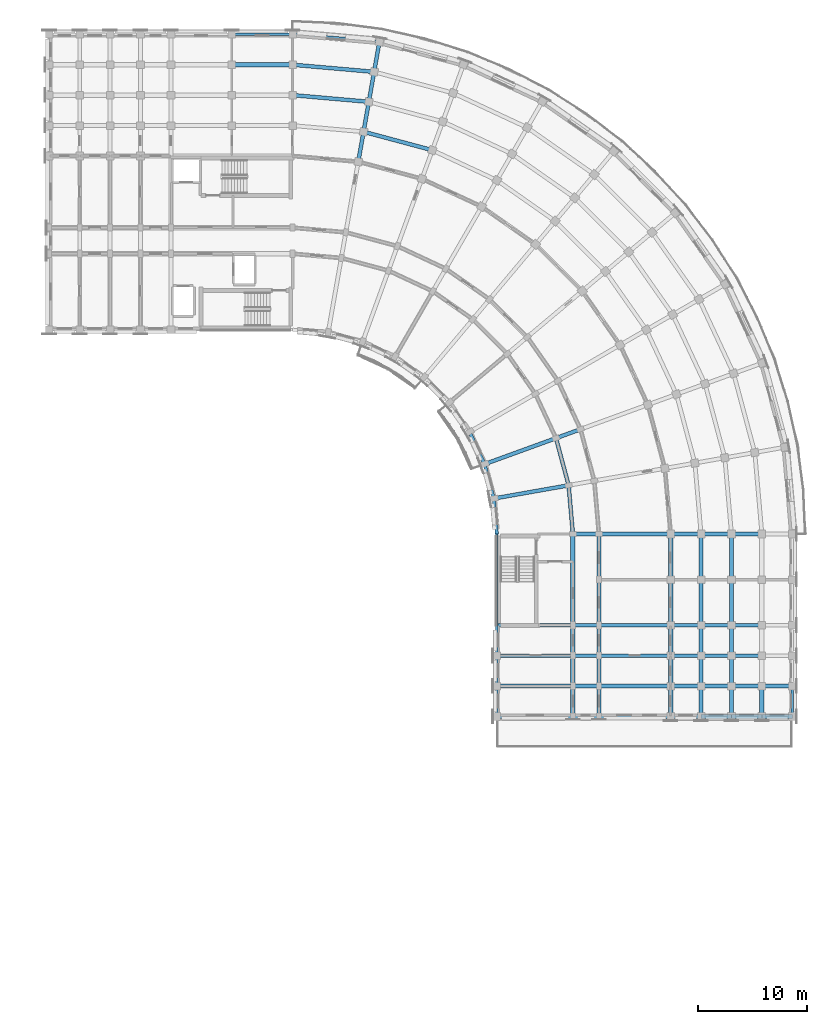
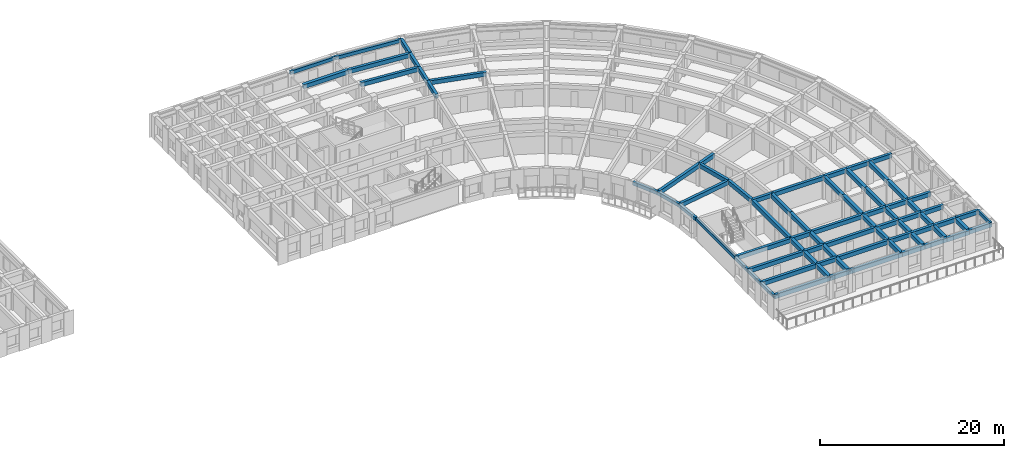
# One storey, part 11 of 54: 79 beams.
"""IFC4 building model written with IfcOpenShell, lengths in metres."""

from ifc_helpers import new_model, si_unit, direction, frame, origin, origin_2d, place, context, subcontext, project, spatial, rectangle, extrude, material, material_profile, profile_set, type_object, element, save


model = new_model("IFC4")

# Units and contexts
model_context = context("Model", 3, precision=1e-05, world=origin(), true_north=direction((0.0, 1.0)))
body_context = subcontext(model_context, "Body", "Model", "MODEL_VIEW")
ifc_project = project(units=[si_unit("LENGTHUNIT", "METRE"), si_unit("AREAUNIT", "SQUARE_METRE"), si_unit("VOLUMEUNIT", "CUBIC_METRE"), si_unit("PLANEANGLEUNIT", "RADIAN"), si_unit("MASSUNIT", "GRAM", prefix="KILO")], contexts=[model_context])

# Site, building, storey
site_placement = place(None, origin())
site = spatial("IfcSite", under=ifc_project, at=site_placement, CompositionType="ELEMENT")
building_placement = place(site_placement, origin())
building = spatial("IfcBuilding", under=site, at=building_placement, Name="Kiranvali Square Residences", CompositionType="ELEMENT")
storey_placement = place(building_placement, frame((0.0, 0.0, 27.60009765625)))
storey = spatial("IfcBuildingStorey", under=building, at=storey_placement, Name="L08", CompositionType="ELEMENT", Elevation=27.60009765625)

# Beams
ifc_material_1 = material(Name="Concrete M40 (40 MPa)", Category="concrete")
ifc_material_profile_1 = material_profile(ifc_material_1, rectangle(XDim=0.35009765625, YDim=0.550048828125, at=origin_2d()), Name="RC 350x550")
ifc_profile_set_1 = profile_set([ifc_material_profile_1], Name="Concrete M40 (40 MPa)")
beam_type_1 = type_object("IfcBeamType", Name="BM-M40-350x550", PredefinedType="BEAM", material=ifc_profile_set_1)
beam_1_placement = place(storey_placement, frame((119.800048828125, 128.199951171875, 2.65478515625), z_axis=(0.996194658198, -0.087156198737, 0.0), x_axis=(0.087156198737, 0.996194658198, 0.0)))
element("IfcBeam", 1, at=beam_1_placement, inside=storey, type_object=beam_type_1, Name="L08 beam BM-B-L08-C00-R5", PredefinedType="BEAM", context=body_context, shape_type="SweptSolid", body=[
    extrude(rectangle(XDim=0.35009765625, YDim=0.550048828125, at=origin_2d()), origin(), (0.0, 0.0, 1.0), 7.042236328125),
])
beam_2_placement = place(storey_placement, frame((119.800048828125, 131.0, 2.65478515625), z_axis=(0.996195195417, -0.087150058103, 0.0), x_axis=(0.087150058103, 0.996195195417, 0.0)))
element("IfcBeam", 2, at=beam_2_placement, inside=storey, type_object=beam_type_1, Name="L08 beam BM-B-L08-C00-R6", PredefinedType="BEAM", context=body_context, shape_type="SweptSolid", body=[
    extrude(rectangle(XDim=0.35009765625, YDim=0.550048828125, at=origin_2d()), origin(), (0.0, 0.0, 1.0), 7.530029296875),
])
beam_3_placement = place(storey_placement, frame((126.3291015625, 124.828857421875, 2.65478515625), z_axis=(0.965918287583, -0.258847178297, 0.0), x_axis=(0.258847178297, 0.965918287583, 0.0)))
element("IfcBeam", 3, at=beam_3_placement, inside=storey, type_object=beam_type_1, Name="L08 beam BM-B-L08-C01-R4", PredefinedType="BEAM", context=body_context, shape_type="SweptSolid", body=[
    extrude(rectangle(XDim=0.35009765625, YDim=0.550048828125, at=origin_2d()), origin(), (0.0, 0.0, 1.0), 6.55419921875),
])
beam_4_placement = place(storey_placement, frame((144.044189453125, 96.6240234375, 2.65478515625), z_axis=(0.258787642463, -0.965934240054, 0.0), x_axis=(0.965934240054, 0.258787642463, 0.0)))
element("IfcBeam", 4, at=beam_4_placement, inside=storey, type_object=beam_type_1, Name="L08 beam BM-B-L08-C07-R1", PredefinedType="BEAM", context=body_context, shape_type="SweptSolid", body=[
    extrude(rectangle(XDim=0.35009765625, YDim=0.550048828125, at=origin_2d()), origin(), (0.0, 0.0, 1.0), 4.497314453125),
])
beam_5_placement = place(storey_placement, frame((145.2080078125, 92.280029296875, 2.65478515625), z_axis=(0.087187153726, -0.996191949488, 0.0), x_axis=(0.996191949488, 0.087187153726, 0.0)))
element("IfcBeam", 5, at=beam_5_placement, inside=storey, type_object=beam_type_1, Name="L08 beam BM-B-L08-C08-R1", PredefinedType="BEAM", context=body_context, shape_type="SweptSolid", body=[
    extrude(rectangle(XDim=0.35009765625, YDim=0.550048828125, at=origin_2d()), origin(), (0.0, 0.0, 1.0), 4.4970703125),
])
beam_6_placement = place(storey_placement, frame((125.843017578125, 122.0712890625, 2.65478515625), z_axis=(0.173596320392, 0.984816895441, 0.0), x_axis=(-0.984816895441, 0.173596320392, 0.0)))
element("IfcBeam", 6, at=beam_6_placement, inside=storey, type_object=beam_type_1, Name="L08 beam BM-B-L08-RAD01-34", PredefinedType="BEAM", context=body_context, shape_type="SweptSolid", body=[
    extrude(rectangle(XDim=0.35009765625, YDim=0.550048828125, at=origin_2d()), origin(), (0.0, 0.0, 1.0), 2.800048828125),
])
beam_7_placement = place(storey_placement, frame((126.3291015625, 124.828857421875, 2.65478515625), z_axis=(0.173695795656, 0.984799355489, 0.0), x_axis=(-0.984799355489, 0.173695795656, 0.0)))
element("IfcBeam", 7, at=beam_7_placement, inside=storey, type_object=beam_type_1, Name="L08 beam BM-B-L08-RAD01-45", PredefinedType="BEAM", context=body_context, shape_type="SweptSolid", body=[
    extrude(rectangle(XDim=0.35009765625, YDim=0.550048828125, at=origin_2d()), origin(), (0.0, 0.0, 1.0), 2.7998046875),
])
beam_8_placement = place(storey_placement, frame((126.8154296875, 127.586181640625, 2.65478515625), z_axis=(0.173596320392, 0.984816895441, 0.0), x_axis=(-0.984816895441, 0.173596320392, 0.0)))
element("IfcBeam", 8, at=beam_8_placement, inside=storey, type_object=beam_type_1, Name="L08 beam BM-B-L08-RAD01-56", PredefinedType="BEAM", context=body_context, shape_type="SweptSolid", body=[
    extrude(rectangle(XDim=0.35009765625, YDim=0.550048828125, at=origin_2d()), origin(), (0.0, 0.0, 1.0), 2.800048828125),
])
beam_9_placement = place(storey_placement, frame((127.301513671875, 130.34375, 2.69482421875), z_axis=(0.173695795656, 0.984799355489, 0.0), x_axis=(-0.984799355489, 0.173695795656, 0.0)))
element("IfcBeam", 9, at=beam_9_placement, inside=storey, type_object=beam_type_1, Name="L08 beam BM-B-L08-RAD01-67", PredefinedType="BEAM", context=body_context, shape_type="SweptSolid", body=[
    extrude(rectangle(XDim=0.35009765625, YDim=0.550048828125, at=origin_2d()), origin(), (0.0, 0.0, 1.0), 2.7998046875),
])
beam_10_placement = place(storey_placement, frame((137.46630859375, 94.22998046875, 2.65478515625), z_axis=(0.939697665127, 0.342006283793, 0.0), x_axis=(-0.342006283793, 0.939697665127, 0.0)))
element("IfcBeam", 10, at=beam_10_placement, inside=storey, type_object=beam_type_1, Name="L08 beam BM-B-L08-RAD07-01", PredefinedType="BEAM", context=body_context, shape_type="SweptSolid", body=[
    extrude(rectangle(XDim=0.35009765625, YDim=0.550048828125, at=origin_2d()), origin(), (0.0, 0.0, 1.0), 7.0),
])
beam_11_placement = place(storey_placement, frame((144.044189453125, 96.6240234375, 2.65478515625), z_axis=(0.939659694648, 0.342110593602, 0.0), x_axis=(-0.342110593602, 0.939659694648, 0.0)))
element("IfcBeam", 11, at=beam_11_placement, inside=storey, type_object=beam_type_1, Name="L08 beam BM-B-L08-RAD07-12", PredefinedType="BEAM", context=body_context, shape_type="SweptSolid", body=[
    extrude(rectangle(XDim=0.35009765625, YDim=0.550048828125, at=origin_2d()), origin(), (0.0, 0.0, 1.0), 2.39990234375),
])
beam_12_placement = place(storey_placement, frame((138.314453125, 91.064697265625, 2.65478515625), z_axis=(0.984812337125, 0.173622177865, 0.0), x_axis=(-0.173622177865, 0.984812337125, 0.0)))
element("IfcBeam", 12, at=beam_12_placement, inside=storey, type_object=beam_type_1, Name="L08 beam BM-B-L08-RAD08-01", PredefinedType="BEAM", context=body_context, shape_type="SweptSolid", body=[
    extrude(rectangle(XDim=0.35009765625, YDim=0.550048828125, at=origin_2d()), origin(), (0.0, 0.0, 1.0), 6.999755859375),
])
beam_13_placement = place(storey_placement, frame((145.60009765625, 87.800048828125, 2.65478515625), z_axis=(1.0, 0.0, 0.0), x_axis=(0.0, 1.0, 0.0)))
element("IfcBeam", 13, at=beam_13_placement, inside=storey, type_object=beam_type_1, Name="L08 beam BM-B-L08-A2T0-12", PredefinedType="BEAM", context=body_context, shape_type="SweptSolid", body=[
    extrude(rectangle(XDim=0.35009765625, YDim=0.550048828125, at=origin_2d()), origin(), (0.0, 0.0, 1.0), 2.39990234375),
])
beam_14_placement = place(storey_placement, frame((148.0, 87.800048828125, 2.65478515625), z_axis=(1.0, 0.0, 0.0), x_axis=(0.0, 1.0, 0.0)))
element("IfcBeam", 14, at=beam_14_placement, inside=storey, type_object=beam_type_1, Name="L08 beam BM-B-L08-A2T0-23", PredefinedType="BEAM", context=body_context, shape_type="SweptSolid", body=[
    extrude(rectangle(XDim=0.35009765625, YDim=0.550048828125, at=origin_2d()), origin(), (0.0, 0.0, 1.0), 6.60009765625),
])
beam_15_placement = place(storey_placement, frame((154.60009765625, 87.800048828125, 2.65478515625), z_axis=(1.0, 0.0, 0.0), x_axis=(0.0, 1.0, 0.0)))
element("IfcBeam", 15, at=beam_15_placement, inside=storey, type_object=beam_type_1, Name="L08 beam BM-B-L08-A2T0-34", PredefinedType="BEAM", context=body_context, shape_type="SweptSolid", body=[
    extrude(rectangle(XDim=0.35009765625, YDim=0.550048828125, at=origin_2d()), origin(), (0.0, 0.0, 1.0), 2.7998046875),
])
for number, where, z_axis, x_axis, name in (
    (16, (157.39990234375, 87.800048828125, 2.65478515625), (1.0, 0.0, 0.0), (0.0, 1.0, 0.0), "L08 beam BM-B-L08-A2T0-45"),
    (17, (160.199951171875, 87.800048828125, 2.65478515625), (1.0, 0.0, 0.0), (0.0, 1.0, 0.0), "L08 beam BM-B-L08-A2T0-56"),
):
    element("IfcBeam", number, at=place(storey_placement, frame(where, z_axis=z_axis, x_axis=x_axis)), inside=storey, type_object=beam_type_1, Name=name, PredefinedType="BEAM", context=body_context, shape_type="SweptSolid", body=[
        extrude(rectangle(XDim=0.35009765625, YDim=0.550048828125, at=origin_2d()), origin(), (0.0, 0.0, 1.0), 2.800048828125),
    ])
beam_16_placement = place(storey_placement, frame((138.60009765625, 79.39990234375, 2.65478515625), z_axis=(1.0, 0.0, 0.0), x_axis=(0.0, 1.0, 0.0)))
element("IfcBeam", 18, at=beam_16_placement, inside=storey, type_object=beam_type_1, Name="L08 beam BM-B-L08-A2T1-01", PredefinedType="BEAM", context=body_context, shape_type="SweptSolid", body=[
    extrude(rectangle(XDim=0.35009765625, YDim=0.550048828125, at=origin_2d()), origin(), (0.0, 0.0, 1.0), 7.0),
])
beam_17_placement = place(storey_placement, frame((145.60009765625, 79.39990234375, 2.65478515625), z_axis=(1.0, 0.0, 0.0), x_axis=(0.0, 1.0, 0.0)))
element("IfcBeam", 19, at=beam_17_placement, inside=storey, type_object=beam_type_1, Name="L08 beam BM-B-L08-A2T1-12", PredefinedType="BEAM", context=body_context, shape_type="SweptSolid", body=[
    extrude(rectangle(XDim=0.35009765625, YDim=0.550048828125, at=origin_2d()), origin(), (0.0, 0.0, 1.0), 2.39990234375),
])
beam_18_placement = place(storey_placement, frame((148.0, 79.39990234375, 2.65478515625), z_axis=(1.0, 0.0, 0.0), x_axis=(0.0, 1.0, 0.0)))
element("IfcBeam", 20, at=beam_18_placement, inside=storey, type_object=beam_type_1, Name="L08 beam BM-B-L08-A2T1-23", PredefinedType="BEAM", context=body_context, shape_type="SweptSolid", body=[
    extrude(rectangle(XDim=0.35009765625, YDim=0.550048828125, at=origin_2d()), origin(), (0.0, 0.0, 1.0), 6.60009765625),
])
beam_19_placement = place(storey_placement, frame((154.60009765625, 79.39990234375, 2.65478515625), z_axis=(1.0, 0.0, 0.0), x_axis=(0.0, 1.0, 0.0)))
element("IfcBeam", 21, at=beam_19_placement, inside=storey, type_object=beam_type_1, Name="L08 beam BM-B-L08-A2T1-34", PredefinedType="BEAM", context=body_context, shape_type="SweptSolid", body=[
    extrude(rectangle(XDim=0.35009765625, YDim=0.550048828125, at=origin_2d()), origin(), (0.0, 0.0, 1.0), 2.7998046875),
])
for number, where, z_axis, x_axis, name in (
    (22, (157.39990234375, 79.39990234375, 2.65478515625), (1.0, 0.0, 0.0), (0.0, 1.0, 0.0), "L08 beam BM-B-L08-A2T1-45"),
    (23, (160.199951171875, 79.39990234375, 2.65478515625), (1.0, 0.0, 0.0), (0.0, 1.0, 0.0), "L08 beam BM-B-L08-A2T1-56"),
):
    element("IfcBeam", number, at=place(storey_placement, frame(where, z_axis=z_axis, x_axis=x_axis)), inside=storey, type_object=beam_type_1, Name=name, PredefinedType="BEAM", context=body_context, shape_type="SweptSolid", body=[
        extrude(rectangle(XDim=0.35009765625, YDim=0.550048828125, at=origin_2d()), origin(), (0.0, 0.0, 1.0), 2.800048828125),
    ])
beam_20_placement = place(storey_placement, frame((138.60009765625, 76.60009765625, 2.65478515625), z_axis=(1.0, 0.0, 0.0), x_axis=(0.0, 1.0, 0.0)))
element("IfcBeam", 24, at=beam_20_placement, inside=storey, type_object=beam_type_1, Name="L08 beam BM-B-L08-A2T2-01", PredefinedType="BEAM", context=body_context, shape_type="SweptSolid", body=[
    extrude(rectangle(XDim=0.35009765625, YDim=0.550048828125, at=origin_2d()), origin(), (0.0, 0.0, 1.0), 7.0),
])
beam_21_placement = place(storey_placement, frame((145.60009765625, 76.60009765625, 2.65478515625), z_axis=(1.0, 0.0, 0.0), x_axis=(0.0, 1.0, 0.0)))
element("IfcBeam", 25, at=beam_21_placement, inside=storey, type_object=beam_type_1, Name="L08 beam BM-B-L08-A2T2-12", PredefinedType="BEAM", context=body_context, shape_type="SweptSolid", body=[
    extrude(rectangle(XDim=0.35009765625, YDim=0.550048828125, at=origin_2d()), origin(), (0.0, 0.0, 1.0), 2.39990234375),
])
beam_22_placement = place(storey_placement, frame((148.0, 76.60009765625, 2.65478515625), z_axis=(1.0, 0.0, 0.0), x_axis=(0.0, 1.0, 0.0)))
element("IfcBeam", 26, at=beam_22_placement, inside=storey, type_object=beam_type_1, Name="L08 beam BM-B-L08-A2T2-23", PredefinedType="BEAM", context=body_context, shape_type="SweptSolid", body=[
    extrude(rectangle(XDim=0.35009765625, YDim=0.550048828125, at=origin_2d()), origin(), (0.0, 0.0, 1.0), 6.60009765625),
])
beam_23_placement = place(storey_placement, frame((154.60009765625, 76.60009765625, 2.65478515625), z_axis=(1.0, 0.0, 0.0), x_axis=(0.0, 1.0, 0.0)))
element("IfcBeam", 27, at=beam_23_placement, inside=storey, type_object=beam_type_1, Name="L08 beam BM-B-L08-A2T2-34", PredefinedType="BEAM", context=body_context, shape_type="SweptSolid", body=[
    extrude(rectangle(XDim=0.35009765625, YDim=0.550048828125, at=origin_2d()), origin(), (0.0, 0.0, 1.0), 2.7998046875),
])
for number, where, z_axis, x_axis, name in (
    (28, (157.39990234375, 76.60009765625, 2.65478515625), (1.0, 0.0, 0.0), (0.0, 1.0, 0.0), "L08 beam BM-B-L08-A2T2-45"),
    (29, (160.199951171875, 76.60009765625, 2.65478515625), (1.0, 0.0, 0.0), (0.0, 1.0, 0.0), "L08 beam BM-B-L08-A2T2-56"),
):
    element("IfcBeam", number, at=place(storey_placement, frame(where, z_axis=z_axis, x_axis=x_axis)), inside=storey, type_object=beam_type_1, Name=name, PredefinedType="BEAM", context=body_context, shape_type="SweptSolid", body=[
        extrude(rectangle(XDim=0.35009765625, YDim=0.550048828125, at=origin_2d()), origin(), (0.0, 0.0, 1.0), 2.800048828125),
    ])
beam_24_placement = place(storey_placement, frame((138.60009765625, 73.800048828125, 2.65478515625), z_axis=(1.0, 0.0, 0.0), x_axis=(0.0, 1.0, 0.0)))
element("IfcBeam", 30, at=beam_24_placement, inside=storey, type_object=beam_type_1, Name="L08 beam BM-B-L08-A2T3-01", PredefinedType="BEAM", context=body_context, shape_type="SweptSolid", body=[
    extrude(rectangle(XDim=0.35009765625, YDim=0.550048828125, at=origin_2d()), origin(), (0.0, 0.0, 1.0), 7.0),
])
beam_25_placement = place(storey_placement, frame((145.60009765625, 73.800048828125, 2.65478515625), z_axis=(1.0, 0.0, 0.0), x_axis=(0.0, 1.0, 0.0)))
element("IfcBeam", 31, at=beam_25_placement, inside=storey, type_object=beam_type_1, Name="L08 beam BM-B-L08-A2T3-12", PredefinedType="BEAM", context=body_context, shape_type="SweptSolid", body=[
    extrude(rectangle(XDim=0.35009765625, YDim=0.550048828125, at=origin_2d()), origin(), (0.0, 0.0, 1.0), 2.39990234375),
])
beam_26_placement = place(storey_placement, frame((148.0, 73.800048828125, 2.65478515625), z_axis=(1.0, 0.0, 0.0), x_axis=(0.0, 1.0, 0.0)))
element("IfcBeam", 32, at=beam_26_placement, inside=storey, type_object=beam_type_1, Name="L08 beam BM-B-L08-A2T3-23", PredefinedType="BEAM", context=body_context, shape_type="SweptSolid", body=[
    extrude(rectangle(XDim=0.35009765625, YDim=0.550048828125, at=origin_2d()), origin(), (0.0, 0.0, 1.0), 6.60009765625),
])
beam_27_placement = place(storey_placement, frame((154.60009765625, 73.800048828125, 2.65478515625), z_axis=(1.0, 0.0, 0.0), x_axis=(0.0, 1.0, 0.0)))
element("IfcBeam", 33, at=beam_27_placement, inside=storey, type_object=beam_type_1, Name="L08 beam BM-B-L08-A2T3-34", PredefinedType="BEAM", context=body_context, shape_type="SweptSolid", body=[
    extrude(rectangle(XDim=0.35009765625, YDim=0.550048828125, at=origin_2d()), origin(), (0.0, 0.0, 1.0), 2.7998046875),
])
for number, where, z_axis, x_axis, name in (
    (34, (157.39990234375, 73.800048828125, 2.65478515625), (1.0, 0.0, 0.0), (0.0, 1.0, 0.0), "L08 beam BM-B-L08-A2T3-45"),
    (35, (160.199951171875, 73.800048828125, 2.65478515625), (1.0, 0.0, 0.0), (0.0, 1.0, 0.0), "L08 beam BM-B-L08-A2T3-56"),
    (36, (163.0, 73.800048828125, 2.69482421875), (1.0, 0.0, 0.0), (0.0, 1.0, 0.0), "L08 beam BM-B-L08-A2T3-67"),
):
    element("IfcBeam", number, at=place(storey_placement, frame(where, z_axis=z_axis, x_axis=x_axis)), inside=storey, type_object=beam_type_1, Name=name, PredefinedType="BEAM", context=body_context, shape_type="SweptSolid", body=[
        extrude(rectangle(XDim=0.35009765625, YDim=0.550048828125, at=origin_2d()), origin(), (0.0, 0.0, 1.0), 2.800048828125),
    ])
beam_28_placement = place(storey_placement, frame((138.60009765625, 71.0, 2.65478515625), z_axis=(1.0, 0.0, 0.0), x_axis=(0.0, 1.0, 0.0)))
element("IfcBeam", 37, at=beam_28_placement, inside=storey, type_object=beam_type_1, Name="L08 beam BM-B-L08-A2T4-01", PredefinedType="BEAM", context=body_context, shape_type="SweptSolid", body=[
    extrude(rectangle(XDim=0.35009765625, YDim=0.550048828125, at=origin_2d()), origin(), (0.0, 0.0, 1.0), 7.0),
])
beam_29_placement = place(storey_placement, frame((145.60009765625, 71.0, 2.65478515625), z_axis=(1.0, 0.0, 0.0), x_axis=(0.0, 1.0, 0.0)))
element("IfcBeam", 38, at=beam_29_placement, inside=storey, type_object=beam_type_1, Name="L08 beam BM-B-L08-A2T4-12", PredefinedType="BEAM", context=body_context, shape_type="SweptSolid", body=[
    extrude(rectangle(XDim=0.35009765625, YDim=0.550048828125, at=origin_2d()), origin(), (0.0, 0.0, 1.0), 2.39990234375),
])
beam_30_placement = place(storey_placement, frame((148.0, 71.0, 2.65478515625), z_axis=(1.0, 0.0, 0.0), x_axis=(0.0, 1.0, 0.0)))
element("IfcBeam", 39, at=beam_30_placement, inside=storey, type_object=beam_type_1, Name="L08 beam BM-B-L08-A2T4-23", PredefinedType="BEAM", context=body_context, shape_type="SweptSolid", body=[
    extrude(rectangle(XDim=0.35009765625, YDim=0.550048828125, at=origin_2d()), origin(), (0.0, 0.0, 1.0), 6.60009765625),
])
beam_31_placement = place(storey_placement, frame((154.60009765625, 71.0, 2.65478515625), z_axis=(1.0, 0.0, 0.0), x_axis=(0.0, 1.0, 0.0)))
element("IfcBeam", 40, at=beam_31_placement, inside=storey, type_object=beam_type_1, Name="L08 beam BM-B-L08-A2T4-34", PredefinedType="BEAM", context=body_context, shape_type="SweptSolid", body=[
    extrude(rectangle(XDim=0.35009765625, YDim=0.550048828125, at=origin_2d()), origin(), (0.0, 0.0, 1.0), 2.7998046875),
])
for number, where, z_axis, x_axis, name in (
    (41, (157.39990234375, 71.0, 2.65478515625), (1.0, 0.0, 0.0), (0.0, 1.0, 0.0), "L08 beam BM-B-L08-A2T4-45"),
    (42, (160.199951171875, 71.0, 2.65478515625), (1.0, 0.0, 0.0), (0.0, 1.0, 0.0), "L08 beam BM-B-L08-A2T4-56"),
    (43, (163.0, 71.0, 2.69482421875), (1.0, 0.0, 0.0), (0.0, 1.0, 0.0), "L08 beam BM-B-L08-A2T4-67"),
):
    element("IfcBeam", number, at=place(storey_placement, frame(where, z_axis=z_axis, x_axis=x_axis)), inside=storey, type_object=beam_type_1, Name=name, PredefinedType="BEAM", context=body_context, shape_type="SweptSolid", body=[
        extrude(rectangle(XDim=0.35009765625, YDim=0.550048828125, at=origin_2d()), origin(), (0.0, 0.0, 1.0), 2.800048828125),
    ])
ifc_material_2 = material(Name="Concrete M45 (45 MPa)", Category="concrete")
ifc_material_profile_2 = material_profile(ifc_material_2, rectangle(XDim=0.39990234375, YDim=0.550048828125, at=origin_2d()), Name="RC 400x550")
ifc_profile_set_2 = profile_set([ifc_material_profile_2], Name="Concrete M45 (45 MPa)")
beam_type_2 = type_object("IfcBeamType", Name="BM-M45-400x550", PredefinedType="BEAM", material=ifc_profile_set_2)
beam_32_placement = place(storey_placement, frame((119.800048828125, 131.0, 2.65478515625), z_axis=(-1.0, 0.0, 0.0), x_axis=(0.0, -1.0, 0.0)))
element("IfcBeam", 44, at=beam_32_placement, inside=storey, type_object=beam_type_2, Name="L08 beam BM-B-L08-A1U0-R6", PredefinedType="BEAM", context=body_context, shape_type="SweptSolid", body=[
    extrude(rectangle(XDim=0.39990234375, YDim=0.550048828125, at=origin_2d()), origin(), (0.0, 0.0, 1.0), 5.60009765625),
])
beam_33_placement = place(storey_placement, frame((145.60009765625, 87.800048828125, 2.65478515625), z_axis=(0.0, -1.0, 0.0), x_axis=(1.0, 0.0, 0.0)))
element("IfcBeam", 45, at=beam_33_placement, inside=storey, type_object=beam_type_2, Name="L08 beam BM-B-L08-A2V0-R1", PredefinedType="BEAM", context=body_context, shape_type="SweptSolid", body=[
    extrude(rectangle(XDim=0.39990234375, YDim=0.550048828125, at=origin_2d()), origin(), (0.0, 0.0, 1.0), 8.400146484375),
])
beam_34_placement = place(storey_placement, frame((145.60009765625, 79.39990234375, 2.65478515625), z_axis=(0.0, -1.0, 0.0), x_axis=(1.0, 0.0, 0.0)))
element("IfcBeam", 46, at=beam_34_placement, inside=storey, type_object=beam_type_2, Name="L08 beam BM-B-L08-A2V1-R1", PredefinedType="BEAM", context=body_context, shape_type="SweptSolid", body=[
    extrude(rectangle(XDim=0.39990234375, YDim=0.550048828125, at=origin_2d()), origin(), (0.0, 0.0, 1.0), 2.7998046875),
])
for number, where, z_axis, x_axis, name in (
    (47, (145.60009765625, 76.60009765625, 2.65478515625), (0.0, -1.0, 0.0), (1.0, 0.0, 0.0), "L08 beam BM-B-L08-A2V2-R1"),
    (48, (145.60009765625, 73.800048828125, 2.65478515625), (0.0, -1.0, 0.0), (1.0, 0.0, 0.0), "L08 beam BM-B-L08-A2V3-R1"),
):
    element("IfcBeam", number, at=place(storey_placement, frame(where, z_axis=z_axis, x_axis=x_axis)), inside=storey, type_object=beam_type_2, Name=name, PredefinedType="BEAM", context=body_context, shape_type="SweptSolid", body=[
        extrude(rectangle(XDim=0.39990234375, YDim=0.550048828125, at=origin_2d()), origin(), (0.0, 0.0, 1.0), 2.800048828125),
    ])
beam_35_placement = place(storey_placement, frame((148.0, 87.800048828125, 2.65478515625), z_axis=(0.0, -1.0, 0.0), x_axis=(1.0, 0.0, 0.0)))
element("IfcBeam", 49, at=beam_35_placement, inside=storey, type_object=beam_type_2, Name="L08 beam BM-B-L08-A2V0-R2", PredefinedType="BEAM", context=body_context, shape_type="SweptSolid", body=[
    extrude(rectangle(XDim=0.39990234375, YDim=0.550048828125, at=origin_2d()), origin(), (0.0, 0.0, 1.0), 4.199951171875),
])
beam_36_placement = place(storey_placement, frame((148.0, 83.60009765625, 2.65478515625), z_axis=(0.0, -1.0, 0.0), x_axis=(1.0, 0.0, 0.0)))
element("IfcBeam", 50, at=beam_36_placement, inside=storey, type_object=beam_type_2, Name="L08 beam BM-B-L08-A2V1-R2", PredefinedType="BEAM", context=body_context, shape_type="SweptSolid", body=[
    extrude(rectangle(XDim=0.39990234375, YDim=0.550048828125, at=origin_2d()), origin(), (0.0, 0.0, 1.0), 4.2001953125),
])
beam_37_placement = place(storey_placement, frame((148.0, 79.39990234375, 2.65478515625), z_axis=(0.0, -1.0, 0.0), x_axis=(1.0, 0.0, 0.0)))
element("IfcBeam", 51, at=beam_37_placement, inside=storey, type_object=beam_type_2, Name="L08 beam BM-B-L08-A2V2-R2", PredefinedType="BEAM", context=body_context, shape_type="SweptSolid", body=[
    extrude(rectangle(XDim=0.39990234375, YDim=0.550048828125, at=origin_2d()), origin(), (0.0, 0.0, 1.0), 2.7998046875),
])
for number, where, z_axis, x_axis, name in (
    (52, (148.0, 76.60009765625, 2.65478515625), (0.0, -1.0, 0.0), (1.0, 0.0, 0.0), "L08 beam BM-B-L08-A2V3-R2"),
    (53, (148.0, 73.800048828125, 2.65478515625), (0.0, -1.0, 0.0), (1.0, 0.0, 0.0), "L08 beam BM-B-L08-A2V4-R2"),
):
    element("IfcBeam", number, at=place(storey_placement, frame(where, z_axis=z_axis, x_axis=x_axis)), inside=storey, type_object=beam_type_2, Name=name, PredefinedType="BEAM", context=body_context, shape_type="SweptSolid", body=[
        extrude(rectangle(XDim=0.39990234375, YDim=0.550048828125, at=origin_2d()), origin(), (0.0, 0.0, 1.0), 2.800048828125),
    ])
beam_38_placement = place(storey_placement, frame((154.60009765625, 87.800048828125, 2.65478515625), z_axis=(0.0, -1.0, 0.0), x_axis=(1.0, 0.0, 0.0)))
element("IfcBeam", 54, at=beam_38_placement, inside=storey, type_object=beam_type_2, Name="L08 beam BM-B-L08-A2V0-R3", PredefinedType="BEAM", context=body_context, shape_type="SweptSolid", body=[
    extrude(rectangle(XDim=0.39990234375, YDim=0.550048828125, at=origin_2d()), origin(), (0.0, 0.0, 1.0), 4.199951171875),
])
beam_39_placement = place(storey_placement, frame((154.60009765625, 83.60009765625, 2.65478515625), z_axis=(0.0, -1.0, 0.0), x_axis=(1.0, 0.0, 0.0)))
element("IfcBeam", 55, at=beam_39_placement, inside=storey, type_object=beam_type_2, Name="L08 beam BM-B-L08-A2V1-R3", PredefinedType="BEAM", context=body_context, shape_type="SweptSolid", body=[
    extrude(rectangle(XDim=0.39990234375, YDim=0.550048828125, at=origin_2d()), origin(), (0.0, 0.0, 1.0), 4.2001953125),
])
beam_40_placement = place(storey_placement, frame((154.60009765625, 79.39990234375, 2.65478515625), z_axis=(0.0, -1.0, 0.0), x_axis=(1.0, 0.0, 0.0)))
element("IfcBeam", 56, at=beam_40_placement, inside=storey, type_object=beam_type_2, Name="L08 beam BM-B-L08-A2V2-R3", PredefinedType="BEAM", context=body_context, shape_type="SweptSolid", body=[
    extrude(rectangle(XDim=0.39990234375, YDim=0.550048828125, at=origin_2d()), origin(), (0.0, 0.0, 1.0), 2.7998046875),
])
for number, where, z_axis, x_axis, name in (
    (57, (154.60009765625, 76.60009765625, 2.65478515625), (0.0, -1.0, 0.0), (1.0, 0.0, 0.0), "L08 beam BM-B-L08-A2V3-R3"),
    (58, (154.60009765625, 73.800048828125, 2.65478515625), (0.0, -1.0, 0.0), (1.0, 0.0, 0.0), "L08 beam BM-B-L08-A2V4-R3"),
):
    element("IfcBeam", number, at=place(storey_placement, frame(where, z_axis=z_axis, x_axis=x_axis)), inside=storey, type_object=beam_type_2, Name=name, PredefinedType="BEAM", context=body_context, shape_type="SweptSolid", body=[
        extrude(rectangle(XDim=0.39990234375, YDim=0.550048828125, at=origin_2d()), origin(), (0.0, 0.0, 1.0), 2.800048828125),
    ])
beam_41_placement = place(storey_placement, frame((157.39990234375, 87.800048828125, 2.65478515625), z_axis=(0.0, -1.0, 0.0), x_axis=(1.0, 0.0, 0.0)))
element("IfcBeam", 59, at=beam_41_placement, inside=storey, type_object=beam_type_2, Name="L08 beam BM-B-L08-A2V0-R4", PredefinedType="BEAM", context=body_context, shape_type="SweptSolid", body=[
    extrude(rectangle(XDim=0.39990234375, YDim=0.550048828125, at=origin_2d()), origin(), (0.0, 0.0, 1.0), 4.199951171875),
])
beam_42_placement = place(storey_placement, frame((157.39990234375, 83.60009765625, 2.65478515625), z_axis=(0.0, -1.0, 0.0), x_axis=(1.0, 0.0, 0.0)))
element("IfcBeam", 60, at=beam_42_placement, inside=storey, type_object=beam_type_2, Name="L08 beam BM-B-L08-A2V1-R4", PredefinedType="BEAM", context=body_context, shape_type="SweptSolid", body=[
    extrude(rectangle(XDim=0.39990234375, YDim=0.550048828125, at=origin_2d()), origin(), (0.0, 0.0, 1.0), 4.2001953125),
])
beam_43_placement = place(storey_placement, frame((157.39990234375, 79.39990234375, 2.65478515625), z_axis=(0.0, -1.0, 0.0), x_axis=(1.0, 0.0, 0.0)))
element("IfcBeam", 61, at=beam_43_placement, inside=storey, type_object=beam_type_2, Name="L08 beam BM-B-L08-A2V2-R4", PredefinedType="BEAM", context=body_context, shape_type="SweptSolid", body=[
    extrude(rectangle(XDim=0.39990234375, YDim=0.550048828125, at=origin_2d()), origin(), (0.0, 0.0, 1.0), 2.7998046875),
])
for number, where, z_axis, x_axis, name in (
    (62, (157.39990234375, 76.60009765625, 2.65478515625), (0.0, -1.0, 0.0), (1.0, 0.0, 0.0), "L08 beam BM-B-L08-A2V3-R4"),
    (63, (157.39990234375, 73.800048828125, 2.65478515625), (0.0, -1.0, 0.0), (1.0, 0.0, 0.0), "L08 beam BM-B-L08-A2V4-R4"),
):
    element("IfcBeam", number, at=place(storey_placement, frame(where, z_axis=z_axis, x_axis=x_axis)), inside=storey, type_object=beam_type_2, Name=name, PredefinedType="BEAM", context=body_context, shape_type="SweptSolid", body=[
        extrude(rectangle(XDim=0.39990234375, YDim=0.550048828125, at=origin_2d()), origin(), (0.0, 0.0, 1.0), 2.800048828125),
    ])
beam_44_placement = place(storey_placement, frame((160.199951171875, 87.800048828125, 2.65478515625), z_axis=(0.0, -1.0, 0.0), x_axis=(1.0, 0.0, 0.0)))
element("IfcBeam", 64, at=beam_44_placement, inside=storey, type_object=beam_type_2, Name="L08 beam BM-B-L08-A2V0-R5", PredefinedType="BEAM", context=body_context, shape_type="SweptSolid", body=[
    extrude(rectangle(XDim=0.39990234375, YDim=0.550048828125, at=origin_2d()), origin(), (0.0, 0.0, 1.0), 4.199951171875),
])
beam_45_placement = place(storey_placement, frame((160.199951171875, 83.60009765625, 2.65478515625), z_axis=(0.0, -1.0, 0.0), x_axis=(1.0, 0.0, 0.0)))
element("IfcBeam", 65, at=beam_45_placement, inside=storey, type_object=beam_type_2, Name="L08 beam BM-B-L08-A2V1-R5", PredefinedType="BEAM", context=body_context, shape_type="SweptSolid", body=[
    extrude(rectangle(XDim=0.39990234375, YDim=0.550048828125, at=origin_2d()), origin(), (0.0, 0.0, 1.0), 4.2001953125),
])
beam_46_placement = place(storey_placement, frame((160.199951171875, 79.39990234375, 2.65478515625), z_axis=(0.0, -1.0, 0.0), x_axis=(1.0, 0.0, 0.0)))
element("IfcBeam", 66, at=beam_46_placement, inside=storey, type_object=beam_type_2, Name="L08 beam BM-B-L08-A2V2-R5", PredefinedType="BEAM", context=body_context, shape_type="SweptSolid", body=[
    extrude(rectangle(XDim=0.39990234375, YDim=0.550048828125, at=origin_2d()), origin(), (0.0, 0.0, 1.0), 2.7998046875),
])
for number, where, z_axis, x_axis, name in (
    (67, (160.199951171875, 76.60009765625, 2.65478515625), (0.0, -1.0, 0.0), (1.0, 0.0, 0.0), "L08 beam BM-B-L08-A2V3-R5"),
    (68, (160.199951171875, 73.800048828125, 2.65478515625), (0.0, -1.0, 0.0), (1.0, 0.0, 0.0), "L08 beam BM-B-L08-A2V4-R5"),
    (69, (163.0, 73.800048828125, 2.65478515625), (0.0, -1.0, 0.0), (1.0, 0.0, 0.0), "L08 beam BM-B-L08-A2V4-R6"),
):
    element("IfcBeam", number, at=place(storey_placement, frame(where, z_axis=z_axis, x_axis=x_axis)), inside=storey, type_object=beam_type_2, Name=name, PredefinedType="BEAM", context=body_context, shape_type="SweptSolid", body=[
        extrude(rectangle(XDim=0.39990234375, YDim=0.550048828125, at=origin_2d()), origin(), (0.0, 0.0, 1.0), 2.800048828125),
    ])
ifc_material_profile_3 = material_profile(ifc_material_1, rectangle(XDim=0.25, YDim=0.449951171875, at=origin_2d()), Name="RC 250x450")
ifc_profile_set_3 = profile_set([ifc_material_profile_3], Name="Concrete M40 (40 MPa)")
beam_type_3 = type_object("IfcBeamType", Name="SPN-M40-250x450", PredefinedType="SPANDREL", material=ifc_profile_set_3)
beam_47_placement = place(storey_placement, frame((119.800048828125, 133.800048828125, 2.744873046875), z_axis=(-1.0, 0.0, 0.0), x_axis=(0.0, -1.0, 0.0)))
element("IfcBeam", 70, at=beam_47_placement, inside=storey, type_object=beam_type_3, Name="L08 beam BM-B-L08-A1U0-R7", PredefinedType="SPANDREL", context=body_context, shape_type="SweptSolid", body=[
    extrude(rectangle(XDim=0.25, YDim=0.449951171875, at=origin_2d()), origin(), (0.0, 0.0, 1.0), 5.60009765625),
])
beam_48_placement = place(storey_placement, frame((138.60009765625, 87.800048828125, 2.704833984375), z_axis=(0.0, -1.0, 0.0), x_axis=(1.0, 0.0, 0.0)))
element("IfcBeam", 71, at=beam_48_placement, inside=storey, type_object=beam_type_3, Name="L08 beam BM-B-L08-A2V0-R0", PredefinedType="SPANDREL", context=body_context, shape_type="SweptSolid", body=[
    extrude(rectangle(XDim=0.25, YDim=0.449951171875, at=origin_2d()), origin(), (0.0, 0.0, 1.0), 8.400146484375),
])
beam_49_placement = place(storey_placement, frame((138.60009765625, 79.39990234375, 2.704833984375), z_axis=(0.0, -1.0, 0.0), x_axis=(1.0, 0.0, 0.0)))
element("IfcBeam", 72, at=beam_49_placement, inside=storey, type_object=beam_type_3, Name="L08 beam BM-B-L08-A2V1-R0", PredefinedType="SPANDREL", context=body_context, shape_type="SweptSolid", body=[
    extrude(rectangle(XDim=0.25, YDim=0.449951171875, at=origin_2d()), origin(), (0.0, 0.0, 1.0), 2.7998046875),
])
for number, where, z_axis, x_axis, name in (
    (73, (138.60009765625, 76.60009765625, 2.704833984375), (0.0, -1.0, 0.0), (1.0, 0.0, 0.0), "L08 beam BM-B-L08-A2V2-R0"),
    (74, (138.60009765625, 73.800048828125, 2.704833984375), (0.0, -1.0, 0.0), (1.0, 0.0, 0.0), "L08 beam BM-B-L08-A2V3-R0"),
    (75, (165.800048828125, 73.800048828125, 2.744873046875), (0.0, -1.0, 0.0), (1.0, 0.0, 0.0), "L08 beam BM-B-L08-A2V4-R7"),
):
    element("IfcBeam", number, at=place(storey_placement, frame(where, z_axis=z_axis, x_axis=x_axis)), inside=storey, type_object=beam_type_3, Name=name, PredefinedType="SPANDREL", context=body_context, shape_type="SweptSolid", body=[
        extrude(rectangle(XDim=0.25, YDim=0.449951171875, at=origin_2d()), origin(), (0.0, 0.0, 1.0), 2.800048828125),
    ])
ifc_material_profile_4 = material_profile(ifc_material_1, rectangle(XDim=0.300048828125, YDim=0.449951171875, at=origin_2d()), Name="RC 300x450")
ifc_profile_set_4 = profile_set([ifc_material_profile_4], Name="Concrete M40 (40 MPa)")
beam_type_4 = type_object("IfcBeamType", Name="SPN-M40-300x450", PredefinedType="SPANDREL", material=ifc_profile_set_4)
beam_50_placement = place(storey_placement, frame((119.800048828125, 133.800048828125, 2.744873046875), z_axis=(0.996193254792, -0.087172238171, 0.0), x_axis=(0.087172238171, 0.996193254792, 0.0)))
element("IfcBeam", 76, at=beam_50_placement, inside=storey, type_object=beam_type_4, Name="L08 beam BM-B-L08-C00-R7", PredefinedType="SPANDREL", context=body_context, shape_type="SweptSolid", body=[
    extrude(rectangle(XDim=0.300048828125, YDim=0.449951171875, at=origin_2d()), origin(), (0.0, 0.0, 1.0), 8.018310546875),
])
beam_51_placement = place(storey_placement, frame((136.081298828125, 97.199951171875, 2.704833984375), z_axis=(0.422640740585, -0.90629730464, 0.0), x_axis=(0.90629730464, 0.422640740585, 0.0)))
element("IfcBeam", 77, at=beam_51_placement, inside=storey, type_object=beam_type_4, Name="L08 beam BM-B-L08-C06-R0", PredefinedType="SPANDREL", context=body_context, shape_type="SweptSolid", body=[
    extrude(rectangle(XDim=0.300048828125, YDim=0.449951171875, at=origin_2d()), origin(), (0.0, 0.0, 1.0), 3.277099609375),
])
beam_52_placement = place(storey_placement, frame((137.46630859375, 94.22998046875, 2.704833984375), z_axis=(0.258821736607, -0.965925105099, 0.0), x_axis=(0.965925105099, 0.258821736607, 0.0)))
element("IfcBeam", 78, at=beam_52_placement, inside=storey, type_object=beam_type_4, Name="L08 beam BM-B-L08-C07-R0", PredefinedType="SPANDREL", context=body_context, shape_type="SweptSolid", body=[
    extrude(rectangle(XDim=0.300048828125, YDim=0.449951171875, at=origin_2d()), origin(), (0.0, 0.0, 1.0), 3.27685546875),
])
beam_53_placement = place(storey_placement, frame((138.314453125, 91.064697265625, 2.704833984375), z_axis=(0.087163253657, -0.996194040944, 0.0), x_axis=(0.996194040944, 0.087163253657, 0.0)))
element("IfcBeam", 79, at=beam_53_placement, inside=storey, type_object=beam_type_4, Name="L08 beam BM-B-L08-C08-R0", PredefinedType="SPANDREL", context=body_context, shape_type="SweptSolid", body=[
    extrude(rectangle(XDim=0.300048828125, YDim=0.449951171875, at=origin_2d()), origin(), (0.0, 0.0, 1.0), 3.277099609375),
])

save(model, "model.ifc")
